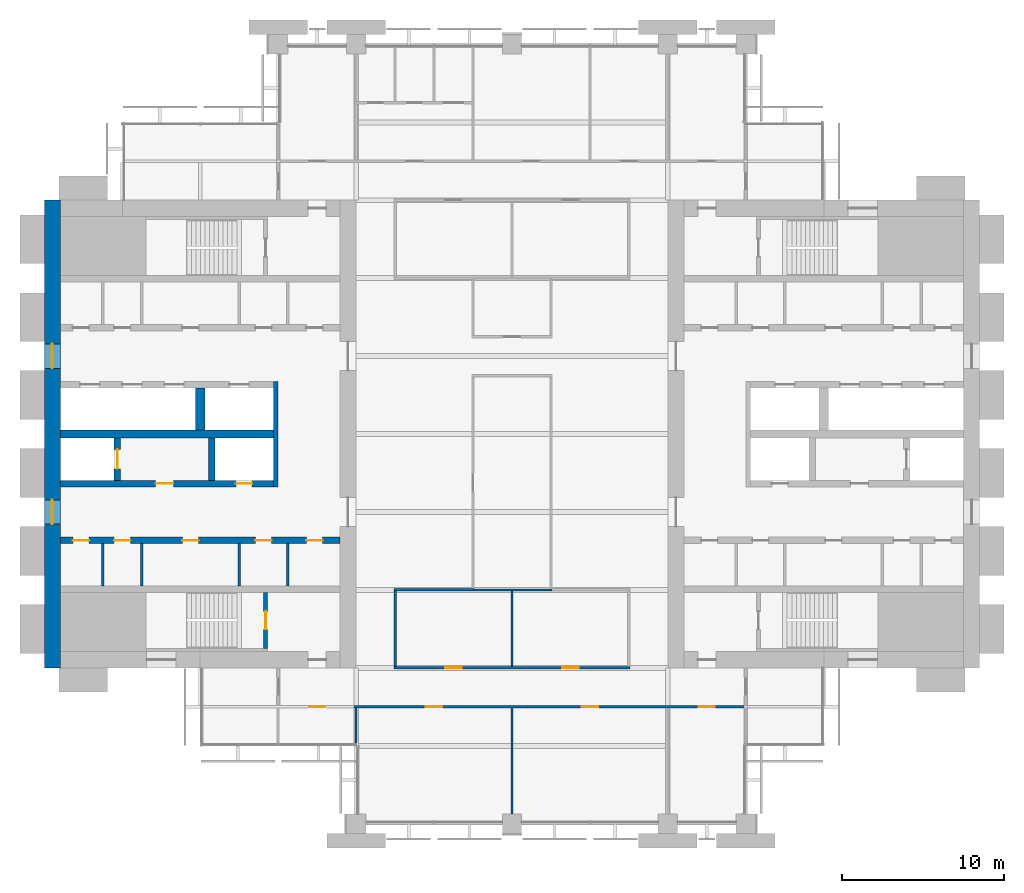
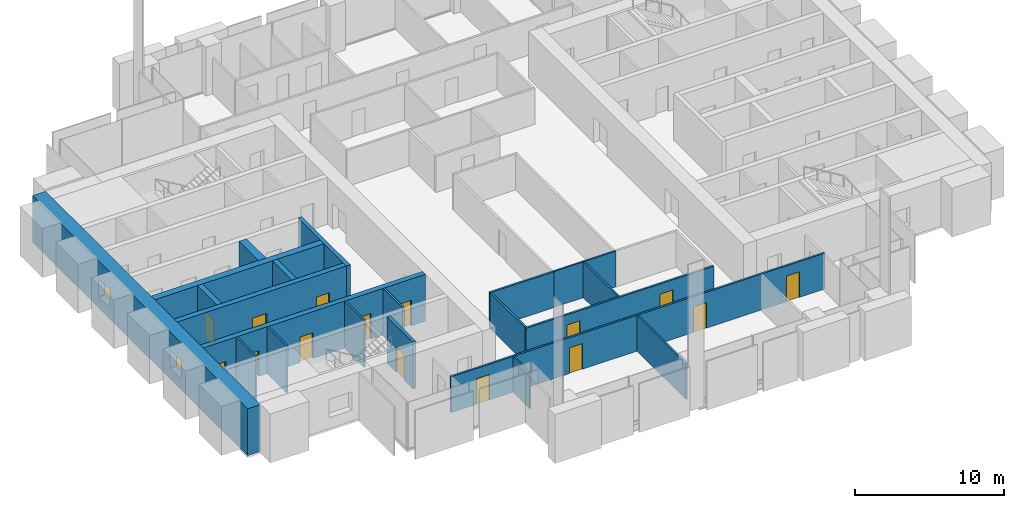
# One storey, part 9 of 14: 21 walls, 15 doors, 2 windows, 17 openings.
"""IFC4 building model written with IfcOpenShell, lengths in metres."""

from ifc_helpers import new_model, si_unit, direction, frame, frame_2d, origin, place, context, subcontext, project, spatial, rectangle, extrude, material, layer, layer_set, type_object, element, fill, save


model = new_model("IFC4")

# Units and contexts
model_context = context("Model", 3, precision=1e-05, world=origin(), true_north=direction((0.0, 1.0)))
body_context = subcontext(model_context, "Body", "Model", "MODEL_VIEW")
ifc_project = project(units=[si_unit("LENGTHUNIT", "METRE"), si_unit("AREAUNIT", "SQUARE_METRE"), si_unit("VOLUMEUNIT", "CUBIC_METRE"), si_unit("PLANEANGLEUNIT", "RADIAN"), si_unit("MASSUNIT", "GRAM", prefix="KILO")], contexts=[model_context])

# Site, building, storey
site_placement = place(None, origin())
site = spatial("IfcSite", under=ifc_project, at=site_placement, CompositionType="ELEMENT")
building_placement = place(site_placement, origin())
building = spatial("IfcBuilding", under=site, at=building_placement, Name="Baori Bourse Tower", CompositionType="ELEMENT")
storey_placement = place(building_placement, frame((0.0, 0.0, 156.10009765625)))
storey = spatial("IfcBuildingStorey", under=building, at=storey_placement, Name="L34", CompositionType="ELEMENT", Elevation=156.10009765625)

# Walls
ifc_material_1 = material(Name="Blockwork partition", Category="masonry")
ifc_layer_1 = layer(ifc_material_1, 0.14990234375)
ifc_layer_set_1 = layer_set([ifc_layer_1], Name="Core partition 150")
wall_type_1 = type_object("IfcWallType", Name="Core partition 150", PredefinedType="PARTITIONING", material=ifc_layer_set_1)
for number, where, z_axis, x_axis, name in (
    (1, (3.60009765625, 14.64990234375, 0.0), (0.0, 0.0, 1.0), (0.0, 1.0, 0.0), "Partition wall W10"),
    (2, (6.0, 14.64990234375, 0.0), (0.0, 0.0, 1.0), (0.0, 1.0, 0.0), "Partition wall W11"),
    (3, (12.0, 14.64990234375, 0.0), (0.0, 0.0, 1.0), (0.0, 1.0, 0.0), "Partition wall W12"),
    (4, (15.0, 14.64990234375, 0.0), (0.0, 0.0, 1.0), (0.0, 1.0, 0.0), "Partition wall W13"),
):
    element("IfcWall", number, at=place(storey_placement, frame(where, z_axis=z_axis, x_axis=x_axis)), inside=storey, type_object=wall_type_1, Name=name, PredefinedType="PARTITIONING", context=body_context, shape_type="SweptSolid", body=[
        extrude(rectangle(XDim=2.60009765625, YDim=0.14990234375, at=frame_2d((1.300048828125, 0.0))), origin(), (0.0, 0.0, 1.0), 3.83984375),
    ])

# Wall, openings, windows
ifc_material_2 = material(Name="Concrete f'c 60 MPa", Category="concrete")
ifc_layer_2 = layer(ifc_material_2, 1.0)
ifc_layer_set_2 = layer_set([ifc_layer_2], Name="Core wall 1000 f'c 60")
wall_type_2 = type_object("IfcWallType", Name="Core wall 1000 f'c 60", PredefinedType="SHEAR", material=ifc_layer_set_2)
wall_1_placement = place(storey_placement, frame((0.5, 9.60009765625, 0.0), z_axis=(0.0, 0.0, 1.0), x_axis=(0.0, 1.0, 0.0)))
wall_1 = element("IfcWall", 5, at=wall_1_placement, inside=storey, type_object=wall_type_2, Name="Core wall W01", PredefinedType="SHEAR", context=body_context, shape_type="SweptSolid", body=[
    extrude(rectangle(XDim=28.7998046875, YDim=1.0, at=frame_2d((14.39990234375, 0.0))), origin(), (0.0, 0.0, 1.0), 3.83984375),
])
opening_1_placement = place(wall_1_placement, frame((8.85009765625, 0.0, 0.89990234375)))
opening_1 = element("IfcOpeningElement", 6, at=opening_1_placement, cuts=wall_1, Name="Opening L34-KW101", PredefinedType="OPENING", context=body_context, shape_type="SweptSolid", body=[
    extrude(rectangle(XDim=1.5, YDim=1.5, at=frame_2d((0.75, 0.75))), frame((0.0, 0.510009765625, 0.0), z_axis=(0.0, -1.0, 0.0), x_axis=(1.0, 0.0, 0.0)), (0.0, 0.0, 1.0), 1.02001953125),
])
opening_2_placement = place(wall_1_placement, frame((18.449951171875, 0.0, 0.89990234375)))
opening_2 = element("IfcOpeningElement", 7, at=opening_2_placement, cuts=wall_1, Name="Opening L34-KW102", PredefinedType="OPENING", context=body_context, shape_type="SweptSolid", body=[
    extrude(rectangle(XDim=1.5, YDim=1.5, at=frame_2d((0.75, 0.75))), frame((0.0, 0.510009765625, 0.0), z_axis=(0.0, -1.0, 0.0), x_axis=(1.0, 0.0, 0.0)), (0.0, 0.0, 1.0), 1.02001953125),
])
ifc_material_3 = material(Name="Pale anodised aluminium", Category="aluminium")
window_type = type_object("IfcWindowType", Name="Lobby window 1500 x 1500", PartitioningType="SINGLE_PANEL", PredefinedType="WINDOW", material=ifc_material_3)
window_1_placement = place(opening_1_placement, origin())
window_1 = element("IfcWindow", 8, at=window_1_placement, inside=storey, type_object=window_type, Name="Outer wall window W L34 1", OverallHeight=1.5, OverallWidth=1.5, PartitioningType="SINGLE_PANEL", PredefinedType="WINDOW", context=body_context, shape_type="SweptSolid", body=[
    extrude(rectangle(XDim=1.5, YDim=1.5, at=frame_2d((0.75, 0.75))), frame((0.0, 0.030029296875, 0.0), z_axis=(0.0, -1.0, 0.0), x_axis=(1.0, 0.0, 0.0)), (0.0, 0.0, 1.0), 0.06005859375),
])
fill(opening_1, window_1)
window_2_placement = place(opening_2_placement, origin())
window_2 = element("IfcWindow", 9, at=window_2_placement, inside=storey, type_object=window_type, Name="Outer wall window W L34 2", OverallHeight=1.5, OverallWidth=1.5, PartitioningType="SINGLE_PANEL", PredefinedType="WINDOW", context=body_context, shape_type="SweptSolid", body=[
    extrude(rectangle(XDim=1.5, YDim=1.5, at=frame_2d((0.75, 0.75))), frame((0.0, 0.030029296875, 0.0), z_axis=(0.0, -1.0, 0.0), x_axis=(1.0, 0.0, 0.0)), (0.0, 0.0, 1.0), 0.06005859375),
])
fill(opening_2, window_2)

# Wall, openings, doors
ifc_material_4 = material(Name="Gypsum board partition")
ifc_layer_3 = layer(ifc_material_4, 0.14990234375)
ifc_layer_set_3 = layer_set([ifc_layer_3], Name="Corridor partition 150")
wall_type_3 = type_object("IfcWallType", Name="Corridor partition 150", PredefinedType="PARTITIONING", material=ifc_layer_set_3)
wall_2_placement = place(storey_placement, frame((14.324951171875, 7.199951171875, 0.0), z_axis=(0.0, 0.0, 1.0), x_axis=(1.0, 0.0, 0.0)))
wall_2 = element("IfcWall", 10, at=wall_2_placement, inside=storey, type_object=wall_type_3, Name="Partition", PredefinedType="PARTITIONING", context=body_context, shape_type="SweptSolid", body=[
    extrude(rectangle(XDim=28.949951171875, YDim=0.14990234375, at=frame_2d((14.47509765625, 0.0))), origin(), (0.0, 0.0, 1.0), 2.935546875),
])
opening_3_placement = place(wall_2_placement, frame((1.97509765625, 0.0, 0.0)))
opening_3 = element("IfcOpeningElement", 11, at=opening_3_placement, cuts=wall_2, Name="Opening L34-D01", PredefinedType="OPENING", context=body_context, shape_type="SweptSolid", body=[
    extrude(rectangle(XDim=1.0, YDim=2.10009765625, at=frame_2d((0.5, 1.050048828125))), frame((0.0, 0.0849609375, 0.0), z_axis=(0.0, -1.0, 0.0), x_axis=(1.0, 0.0, 0.0)), (0.0, 0.0, 1.0), 0.169921875),
])
opening_4_placement = place(wall_2_placement, frame((9.175048828125, 0.0, 0.0)))
opening_4 = element("IfcOpeningElement", 12, at=opening_4_placement, cuts=wall_2, Name="Opening L34-D02", PredefinedType="OPENING", context=body_context, shape_type="SweptSolid", body=[
    extrude(rectangle(XDim=1.0, YDim=2.10009765625, at=frame_2d((0.5, 1.050048828125))), frame((0.0, 0.0849609375, 0.0), z_axis=(0.0, -1.0, 0.0), x_axis=(1.0, 0.0, 0.0)), (0.0, 0.0, 1.0), 0.169921875),
])
opening_5_placement = place(wall_2_placement, frame((18.77490234375, 0.0, 0.0)))
opening_5 = element("IfcOpeningElement", 13, at=opening_5_placement, cuts=wall_2, Name="Opening L34-D03", PredefinedType="OPENING", context=body_context, shape_type="SweptSolid", body=[
    extrude(rectangle(XDim=1.0, YDim=2.10009765625, at=frame_2d((0.5, 1.050048828125))), frame((0.0, 0.0849609375, 0.0), z_axis=(0.0, -1.0, 0.0), x_axis=(1.0, 0.0, 0.0)), (0.0, 0.0, 1.0), 0.169921875),
])
opening_6_placement = place(wall_2_placement, frame((25.97509765625, 0.0, 0.0)))
opening_6 = element("IfcOpeningElement", 14, at=opening_6_placement, cuts=wall_2, Name="Opening L34-D04", PredefinedType="OPENING", context=body_context, shape_type="SweptSolid", body=[
    extrude(rectangle(XDim=1.0, YDim=2.10009765625, at=frame_2d((0.5, 1.050048828125))), frame((0.0, 0.0849609375, 0.0), z_axis=(0.0, -1.0, 0.0), x_axis=(1.0, 0.0, 0.0)), (0.0, 0.0, 1.0), 0.169921875),
])
ifc_material_5 = material(Name="Timber door leaf", Category="wood")
door_type_1 = type_object("IfcDoorType", Name="Door 1000 x 2100", OperationType="SINGLE_SWING_LEFT", PredefinedType="DOOR", material=ifc_material_5)
door_1_placement = place(opening_3_placement, origin())
door_1 = element("IfcDoor", 15, at=door_1_placement, inside=storey, type_object=door_type_1, Name="Door", OperationType="SINGLE_SWING_LEFT", OverallHeight=2.10009765625, OverallWidth=1.0, PredefinedType="DOOR", context=body_context, shape_type="SweptSolid", body=[
    extrude(rectangle(XDim=1.0, YDim=2.10009765625, at=frame_2d((0.5, 1.050048828125))), frame((0.0, 0.02490234375, 0.0), z_axis=(0.0, -1.0, 0.0), x_axis=(1.0, 0.0, 0.0)), (0.0, 0.0, 1.0), 0.050048828125),
])
fill(opening_3, door_1)
door_2_placement = place(opening_4_placement, origin())
door_2 = element("IfcDoor", 16, at=door_2_placement, inside=storey, type_object=door_type_1, Name="Door", OperationType="SINGLE_SWING_LEFT", OverallHeight=2.10009765625, OverallWidth=1.0, PredefinedType="DOOR", context=body_context, shape_type="SweptSolid", body=[
    extrude(rectangle(XDim=1.0, YDim=2.10009765625, at=frame_2d((0.5, 1.050048828125))), frame((0.0, 0.02490234375, 0.0), z_axis=(0.0, -1.0, 0.0), x_axis=(1.0, 0.0, 0.0)), (0.0, 0.0, 1.0), 0.050048828125),
])
fill(opening_4, door_2)
door_3_placement = place(opening_5_placement, origin())
door_3 = element("IfcDoor", 17, at=door_3_placement, inside=storey, type_object=door_type_1, Name="Door", OperationType="SINGLE_SWING_RIGHT", OverallHeight=2.10009765625, OverallWidth=1.0, PredefinedType="DOOR", context=body_context, shape_type="SweptSolid", body=[
    extrude(rectangle(XDim=1.0, YDim=2.10009765625, at=frame_2d((0.5, 1.050048828125))), frame((0.0, 0.02490234375, 0.0), z_axis=(0.0, -1.0, 0.0), x_axis=(1.0, 0.0, 0.0)), (0.0, 0.0, 1.0), 0.050048828125),
])
fill(opening_5, door_3)
door_4_placement = place(opening_6_placement, origin())
door_4 = element("IfcDoor", 18, at=door_4_placement, inside=storey, type_object=door_type_1, Name="Door", OperationType="SINGLE_SWING_RIGHT", OverallHeight=2.10009765625, OverallWidth=1.0, PredefinedType="DOOR", context=body_context, shape_type="SweptSolid", body=[
    extrude(rectangle(XDim=1.0, YDim=2.10009765625, at=frame_2d((0.5, 1.050048828125))), frame((0.0, 0.02490234375, 0.0), z_axis=(0.0, -1.0, 0.0), x_axis=(1.0, 0.0, 0.0)), (0.0, 0.0, 1.0), 0.050048828125),
])
fill(opening_6, door_4)

wall_3_placement = place(storey_placement, frame((21.52490234375, 9.60009765625, 0.0), z_axis=(0.0, 0.0, 1.0), x_axis=(1.0, 0.0, 0.0)))
wall_3 = element("IfcWall", 19, at=wall_3_placement, inside=storey, type_object=wall_type_3, Name="Partition", PredefinedType="PARTITIONING", context=body_context, shape_type="SweptSolid", body=[
    extrude(rectangle(XDim=14.550048828125, YDim=0.14990234375, at=frame_2d((7.27490234375, 0.0))), origin(), (0.0, 0.0, 1.0), 2.935546875),
])
opening_7_placement = place(wall_3_placement, frame((3.175048828125, 0.0, 0.0)))
opening_7 = element("IfcOpeningElement", 20, at=opening_7_placement, cuts=wall_3, Name="Opening L34-D05", PredefinedType="OPENING", context=body_context, shape_type="SweptSolid", body=[
    extrude(rectangle(XDim=1.0, YDim=2.10009765625, at=frame_2d((0.5, 1.050048828125))), frame((0.0, 0.0849609375, 0.0), z_axis=(0.0, -1.0, 0.0), x_axis=(1.0, 0.0, 0.0)), (0.0, 0.0, 1.0), 0.169921875),
])
opening_8_placement = place(wall_3_placement, frame((10.375, 0.0, 0.0)))
opening_8 = element("IfcOpeningElement", 21, at=opening_8_placement, cuts=wall_3, Name="Opening L34-D06", PredefinedType="OPENING", context=body_context, shape_type="SweptSolid", body=[
    extrude(rectangle(XDim=1.0, YDim=2.10009765625, at=frame_2d((0.5, 1.050048828125))), frame((0.0, 0.0849609375, 0.0), z_axis=(0.0, -1.0, 0.0), x_axis=(1.0, 0.0, 0.0)), (0.0, 0.0, 1.0), 0.169921875),
])
door_5_placement = place(opening_7_placement, origin())
door_5 = element("IfcDoor", 22, at=door_5_placement, inside=storey, type_object=door_type_1, Name="Door", OperationType="SINGLE_SWING_RIGHT", OverallHeight=2.10009765625, OverallWidth=1.0, PredefinedType="DOOR", context=body_context, shape_type="SweptSolid", body=[
    extrude(rectangle(XDim=1.0, YDim=2.10009765625, at=frame_2d((0.5, 1.050048828125))), frame((0.0, 0.02490234375, 0.0), z_axis=(0.0, -1.0, 0.0), x_axis=(1.0, 0.0, 0.0)), (0.0, 0.0, 1.0), 0.050048828125),
])
fill(opening_7, door_5)
door_6_placement = place(opening_8_placement, origin())
door_6 = element("IfcDoor", 23, at=door_6_placement, inside=storey, type_object=door_type_1, Name="Door", OperationType="SINGLE_SWING_LEFT", OverallHeight=2.10009765625, OverallWidth=1.0, PredefinedType="DOOR", context=body_context, shape_type="SweptSolid", body=[
    extrude(rectangle(XDim=1.0, YDim=2.10009765625, at=frame_2d((0.5, 1.050048828125))), frame((0.0, 0.02490234375, 0.0), z_axis=(0.0, -1.0, 0.0), x_axis=(1.0, 0.0, 0.0)), (0.0, 0.0, 1.0), 0.050048828125),
])
fill(opening_8, door_6)

# Walls
wall_4_placement = place(storey_placement, frame((21.52490234375, 14.39990234375, 0.0), z_axis=(0.0, 0.0, 1.0), x_axis=(1.0, 0.0, 0.0)))
element("IfcWall", 24, at=wall_4_placement, inside=storey, type_object=wall_type_3, Name="Partition", PredefinedType="PARTITIONING", context=body_context, shape_type="SweptSolid", body=[
    extrude(rectangle(XDim=4.9501953125, YDim=0.14990234375, at=frame_2d((2.47509765625, 0.0))), origin(), (0.0, 0.0, 1.0), 2.935546875),
])
wall_5_placement = place(storey_placement, frame((21.60009765625, 9.675048828125, 0.0), z_axis=(0.0, 0.0, 1.0), x_axis=(0.0, 1.0, 0.0)))
element("IfcWall", 25, at=wall_5_placement, inside=storey, type_object=wall_type_3, Name="Partition", PredefinedType="PARTITIONING", context=body_context, shape_type="SweptSolid", body=[
    extrude(rectangle(XDim=4.64990234375, YDim=0.14990234375, at=frame_2d((2.324951171875, 0.0))), origin(), (0.0, 0.0, 1.0), 2.935546875),
])
ifc_material_6 = material(Name="Gypsum board partition")
ifc_layer_4 = layer(ifc_material_6, 0.125)
ifc_layer_set_4 = layer_set([ifc_layer_4], Name="Partition 125")
wall_type_4 = type_object("IfcWallType", Name="Partition 125", PredefinedType="PARTITIONING", material=ifc_layer_set_4)
wall_6_placement = place(storey_placement, frame((26.47509765625, 14.39990234375, 0.0), z_axis=(0.0, 0.0, 1.0), x_axis=(1.0, 0.0, 0.0)))
element("IfcWall", 26, at=wall_6_placement, inside=storey, type_object=wall_type_4, Name="Partition", PredefinedType="PARTITIONING", context=body_context, shape_type="SweptSolid", body=[
    extrude(rectangle(XDim=4.7998046875, YDim=0.125, at=frame_2d((2.39990234375, 0.0))), origin(), (0.0, 0.0, 1.0), 2.935546875),
])
wall_7_placement = place(storey_placement, frame((19.199951171875, 4.89990234375, 0.0), z_axis=(0.0, 0.0, 1.0), x_axis=(0.0, 1.0, 0.0)))
element("IfcWall", 27, at=wall_7_placement, inside=storey, type_object=wall_type_4, Name="Partition", PredefinedType="PARTITIONING", context=body_context, shape_type="SweptSolid", body=[
    extrude(rectangle(XDim=2.22509765625, YDim=0.125, at=frame_2d((1.112548828125, 0.0))), origin(), (0.0, 0.0, 1.0), 2.935546875),
])
wall_8_placement = place(storey_placement, frame((28.800048828125, 0.60009765625, 0.0), z_axis=(0.0, 0.0, 1.0), x_axis=(0.0, 1.0, 0.0)))
element("IfcWall", 28, at=wall_8_placement, inside=storey, type_object=wall_type_4, Name="Partition", PredefinedType="PARTITIONING", context=body_context, shape_type="SweptSolid", body=[
    extrude(rectangle(XDim=6.52490234375, YDim=0.125, at=frame_2d((3.262451171875, 0.0))), origin(), (0.0, 0.0, 1.0), 2.935546875),
])
wall_9_placement = place(storey_placement, frame((28.800048828125, 9.675048828125, 0.0), z_axis=(0.0, 0.0, 1.0), x_axis=(0.0, 1.0, 0.0)))
element("IfcWall", 29, at=wall_9_placement, inside=storey, type_object=wall_type_4, Name="Partition", PredefinedType="PARTITIONING", context=body_context, shape_type="SweptSolid", body=[
    extrude(rectangle(XDim=4.662353515625, YDim=0.125, at=frame_2d((2.3310546875, 0.0))), origin(), (0.0, 0.0, 1.0), 2.935546875),
])

# Wall, opening, door
ifc_material_7 = material(Name="Concrete f'c 60 MPa", Category="concrete")
ifc_layer_5 = layer(ifc_material_7, 0.25)
ifc_layer_set_5 = layer_set([ifc_layer_5], Name="Shaft wall 250 f'c 60")
wall_type_5 = type_object("IfcWallType", Name="Shaft wall 250 f'c 60", PredefinedType="SHEAR", material=ifc_layer_set_5)
wall_10_placement = place(storey_placement, frame((13.625, 10.800048828125, 0.0), z_axis=(0.0, 0.0, 1.0), x_axis=(0.0, 1.0, 0.0)))
wall_10 = element("IfcWall", 30, at=wall_10_placement, inside=storey, type_object=wall_type_5, Name="Core wall W08", PredefinedType="SHEAR", context=body_context, shape_type="SweptSolid", body=[
    extrude(rectangle(XDim=3.449951171875, YDim=0.25, at=frame_2d((1.72509765625, 0.0))), origin(), (0.0, 0.0, 1.0), 3.83984375),
])
opening_9_placement = place(wall_10_placement, frame((1.175048828125, 0.0, 0.0)))
opening_9 = element("IfcOpeningElement", 31, at=opening_9_placement, cuts=wall_10, Name="Opening L34-D101", PredefinedType="OPENING", context=body_context, shape_type="SweptSolid", body=[
    extrude(rectangle(XDim=1.10009765625, YDim=2.10009765625, at=frame_2d((0.550048828125, 1.050048828125))), frame((0.0, 0.135009765625, 0.0), z_axis=(0.0, -1.0, 0.0), x_axis=(1.0, 0.0, 0.0)), (0.0, 0.0, 1.0), 0.27001953125),
])
ifc_material_8 = material(Name="Painted steel door", Category="steel")
door_type_2 = type_object("IfcDoorType", Name="Stair door 1100", OperationType="SINGLE_SWING_LEFT", PredefinedType="DOOR", material=ifc_material_8)
door_7_placement = place(opening_9_placement, origin())
door_7 = element("IfcDoor", 32, at=door_7_placement, inside=storey, type_object=door_type_2, Name="Stair door A W L34", OperationType="SINGLE_SWING_LEFT", OverallHeight=2.10009765625, OverallWidth=1.10009765625, PredefinedType="DOOR", context=body_context, shape_type="SweptSolid", body=[
    extrude(rectangle(XDim=1.10009765625, YDim=2.10009765625, at=frame_2d((0.550048828125, 1.050048828125))), frame((0.0, 0.02490234375, 0.0), z_axis=(0.0, -1.0, 0.0), x_axis=(1.0, 0.0, 0.0)), (0.0, 0.0, 1.0), 0.050048828125),
])
fill(opening_9, door_7)

# Wall
ifc_material_9 = material(Name="Concrete f'c 60 MPa", Category="concrete")
ifc_layer_6 = layer(ifc_material_9, 0.300048828125)
ifc_layer_set_6 = layer_set([ifc_layer_6], Name="Shaft wall 300 f'c 60")
wall_type_6 = type_object("IfcWallType", Name="Shaft wall 300 f'c 60", PredefinedType="SHEAR", material=ifc_layer_set_6)
wall_11_placement = place(storey_placement, frame((14.25, 20.75, 0.0), z_axis=(0.0, 0.0, 1.0), x_axis=(0.0, 1.0, 0.0)))
element("IfcWall", 33, at=wall_11_placement, inside=storey, type_object=wall_type_6, Name="Core wall W16", PredefinedType="SHEAR", context=body_context, shape_type="SweptSolid", body=[
    extrude(rectangle(XDim=6.5, YDim=0.300048828125, at=frame_2d((3.25, 0.0))), origin(), (0.0, 0.0, 1.0), 3.83984375),
])

# Wall, openings, doors
ifc_material_10 = material(Name="Concrete f'c 60 MPa", Category="concrete")
ifc_layer_7 = layer(ifc_material_10, 0.39990234375)
ifc_layer_set_7 = layer_set([ifc_layer_7], Name="Shaft wall 400 f'c 60")
wall_type_7 = type_object("IfcWallType", Name="Shaft wall 400 f'c 60", PredefinedType="SHEAR", material=ifc_layer_set_7)
wall_12_placement = place(storey_placement, frame((1.0, 17.449951171875, 0.0), z_axis=(0.0, 0.0, 1.0), x_axis=(1.0, 0.0, 0.0)))
wall_12 = element("IfcWall", 34, at=wall_12_placement, inside=storey, type_object=wall_type_7, Name="Core wall W14", PredefinedType="SHEAR", context=body_context, shape_type="SweptSolid", body=[
    extrude(rectangle(XDim=17.199951171875, YDim=0.39990234375, at=frame_2d((8.60009765625, 0.0))), origin(), (0.0, 0.0, 1.0), 3.83984375),
])
opening_10_placement = place(wall_12_placement, frame((0.762451171875, 0.0, 0.0)))
opening_10 = element("IfcOpeningElement", 35, at=opening_10_placement, cuts=wall_12, Name="Opening L34-D114", PredefinedType="OPENING", context=body_context, shape_type="SweptSolid", body=[
    extrude(rectangle(XDim=1.0, YDim=2.10009765625, at=frame_2d((0.5, 1.050048828125))), frame((0.0, 0.2099609375, 0.0), z_axis=(0.0, -1.0, 0.0), x_axis=(1.0, 0.0, 0.0)), (0.0, 0.0, 1.0), 0.419921875),
])
opening_11_placement = place(wall_12_placement, frame((3.300048828125, 0.0, 0.0)))
opening_11 = element("IfcOpeningElement", 36, at=opening_11_placement, cuts=wall_12, Name="Opening L34-D115", PredefinedType="OPENING", context=body_context, shape_type="SweptSolid", body=[
    extrude(rectangle(XDim=1.0, YDim=2.10009765625, at=frame_2d((0.5, 1.050048828125))), frame((0.0, 0.2099609375, 0.0), z_axis=(0.0, -1.0, 0.0), x_axis=(1.0, 0.0, 0.0)), (0.0, 0.0, 1.0), 0.419921875),
])
opening_12_placement = place(wall_12_placement, frame((7.5, 0.0, 0.0)))
opening_12 = element("IfcOpeningElement", 37, at=opening_12_placement, cuts=wall_12, Name="Opening L34-D116", PredefinedType="OPENING", context=body_context, shape_type="SweptSolid", body=[
    extrude(rectangle(XDim=1.0, YDim=2.10009765625, at=frame_2d((0.5, 1.050048828125))), frame((0.0, 0.2099609375, 0.0), z_axis=(0.0, -1.0, 0.0), x_axis=(1.0, 0.0, 0.0)), (0.0, 0.0, 1.0), 0.419921875),
])
opening_13_placement = place(wall_12_placement, frame((12.0, 0.0, 0.0)))
opening_13 = element("IfcOpeningElement", 38, at=opening_13_placement, cuts=wall_12, Name="Opening L34-D117", PredefinedType="OPENING", context=body_context, shape_type="SweptSolid", body=[
    extrude(rectangle(XDim=1.0, YDim=2.10009765625, at=frame_2d((0.5, 1.050048828125))), frame((0.0, 0.2099609375, 0.0), z_axis=(0.0, -1.0, 0.0), x_axis=(1.0, 0.0, 0.0)), (0.0, 0.0, 1.0), 0.419921875),
])
opening_14_placement = place(wall_12_placement, frame((15.137451171875, 0.0, 0.0)))
opening_14 = element("IfcOpeningElement", 39, at=opening_14_placement, cuts=wall_12, Name="Opening L34-D118", PredefinedType="OPENING", context=body_context, shape_type="SweptSolid", body=[
    extrude(rectangle(XDim=1.0, YDim=2.10009765625, at=frame_2d((0.5, 1.050048828125))), frame((0.0, 0.2099609375, 0.0), z_axis=(0.0, -1.0, 0.0), x_axis=(1.0, 0.0, 0.0)), (0.0, 0.0, 1.0), 0.419921875),
])
ifc_material_11 = material(Name="Painted steel door", Category="steel")
door_type_3 = type_object("IfcDoorType", Name="Core door 1000", OperationType="SINGLE_SWING_LEFT", PredefinedType="DOOR", material=ifc_material_11)
door_8_placement = place(opening_10_placement, origin())
door_8 = element("IfcDoor", 40, at=door_8_placement, inside=storey, type_object=door_type_3, Name="Store Room door W L34", OperationType="SINGLE_SWING_LEFT", OverallHeight=2.10009765625, OverallWidth=1.0, PredefinedType="DOOR", context=body_context, shape_type="SweptSolid", body=[
    extrude(rectangle(XDim=1.0, YDim=2.10009765625, at=frame_2d((0.5, 1.050048828125))), frame((0.0, 0.02490234375, 0.0), z_axis=(0.0, -1.0, 0.0), x_axis=(1.0, 0.0, 0.0)), (0.0, 0.0, 1.0), 0.050048828125),
])
fill(opening_10, door_8)
door_9_placement = place(opening_11_placement, origin())
door_9 = element("IfcDoor", 41, at=door_9_placement, inside=storey, type_object=door_type_3, Name="Pantry door W L34", OperationType="SINGLE_SWING_LEFT", OverallHeight=2.10009765625, OverallWidth=1.0, PredefinedType="DOOR", context=body_context, shape_type="SweptSolid", body=[
    extrude(rectangle(XDim=1.0, YDim=2.10009765625, at=frame_2d((0.5, 1.050048828125))), frame((0.0, 0.02490234375, 0.0), z_axis=(0.0, -1.0, 0.0), x_axis=(1.0, 0.0, 0.0)), (0.0, 0.0, 1.0), 0.050048828125),
])
fill(opening_11, door_9)
door_10_placement = place(opening_12_placement, origin())
door_10 = element("IfcDoor", 42, at=door_10_placement, inside=storey, type_object=door_type_3, Name="Men'S Wc door W L34", OperationType="SINGLE_SWING_LEFT", OverallHeight=2.10009765625, OverallWidth=1.0, PredefinedType="DOOR", context=body_context, shape_type="SweptSolid", body=[
    extrude(rectangle(XDim=1.0, YDim=2.10009765625, at=frame_2d((0.5, 1.050048828125))), frame((0.0, 0.02490234375, 0.0), z_axis=(0.0, -1.0, 0.0), x_axis=(1.0, 0.0, 0.0)), (0.0, 0.0, 1.0), 0.050048828125),
])
fill(opening_12, door_10)
door_11_placement = place(opening_13_placement, origin())
door_11 = element("IfcDoor", 43, at=door_11_placement, inside=storey, type_object=door_type_3, Name="Women'S Wc door W L34", OperationType="SINGLE_SWING_LEFT", OverallHeight=2.10009765625, OverallWidth=1.0, PredefinedType="DOOR", context=body_context, shape_type="SweptSolid", body=[
    extrude(rectangle(XDim=1.0, YDim=2.10009765625, at=frame_2d((0.5, 1.050048828125))), frame((0.0, 0.02490234375, 0.0), z_axis=(0.0, -1.0, 0.0), x_axis=(1.0, 0.0, 0.0)), (0.0, 0.0, 1.0), 0.050048828125),
])
fill(opening_13, door_11)
door_12_placement = place(opening_14_placement, origin())
door_12 = element("IfcDoor", 44, at=door_12_placement, inside=storey, type_object=door_type_3, Name="Accessible Wc door W L34", OperationType="SINGLE_SWING_LEFT", OverallHeight=2.10009765625, OverallWidth=1.0, PredefinedType="DOOR", context=body_context, shape_type="SweptSolid", body=[
    extrude(rectangle(XDim=1.0, YDim=2.10009765625, at=frame_2d((0.5, 1.050048828125))), frame((0.0, 0.02490234375, 0.0), z_axis=(0.0, -1.0, 0.0), x_axis=(1.0, 0.0, 0.0)), (0.0, 0.0, 1.0), 0.050048828125),
])
fill(opening_14, door_12)

wall_13_placement = place(storey_placement, frame((1.0, 20.949951171875, 0.0), z_axis=(0.0, 0.0, 1.0), x_axis=(1.0, 0.0, 0.0)))
wall_13 = element("IfcWall", 45, at=wall_13_placement, inside=storey, type_object=wall_type_7, Name="Core wall W15", PredefinedType="SHEAR", context=body_context, shape_type="SweptSolid", body=[
    extrude(rectangle(XDim=13.10009765625, YDim=0.39990234375, at=frame_2d((6.550048828125, 0.0))), origin(), (0.0, 0.0, 1.0), 3.83984375),
])
opening_15_placement = place(wall_13_placement, frame((5.85009765625, 0.0, 0.0)))
opening_15 = element("IfcOpeningElement", 46, at=opening_15_placement, cuts=wall_13, Name="Opening L34-D105", PredefinedType="OPENING", context=body_context, shape_type="SweptSolid", body=[
    extrude(rectangle(XDim=1.10009765625, YDim=2.10009765625, at=frame_2d((0.550048828125, 1.050048828125))), frame((0.0, 0.2099609375, 0.0), z_axis=(0.0, -1.0, 0.0), x_axis=(1.0, 0.0, 0.0)), (0.0, 0.0, 1.0), 0.419921875),
])
opening_16_placement = place(wall_13_placement, frame((10.800048828125, 0.0, 0.0)))
opening_16 = element("IfcOpeningElement", 47, at=opening_16_placement, cuts=wall_13, Name="Opening L34-D106", PredefinedType="OPENING", context=body_context, shape_type="SweptSolid", body=[
    extrude(rectangle(XDim=1.0, YDim=2.10009765625, at=frame_2d((0.5, 1.050048828125))), frame((0.0, 0.2099609375, 0.0), z_axis=(0.0, -1.0, 0.0), x_axis=(1.0, 0.0, 0.0)), (0.0, 0.0, 1.0), 0.419921875),
])
ifc_material_12 = material(Name="Painted steel door", Category="steel")
door_type_4 = type_object("IfcDoorType", Name="Lobby door 1100", OperationType="SINGLE_SWING_LEFT", PredefinedType="DOOR", material=ifc_material_12)
door_13_placement = place(opening_15_placement, origin())
door_13 = element("IfcDoor", 48, at=door_13_placement, inside=storey, type_object=door_type_4, Name="Firefighting lobby door W L34", OperationType="SINGLE_SWING_LEFT", OverallHeight=2.10009765625, OverallWidth=1.10009765625, PredefinedType="DOOR", context=body_context, shape_type="SweptSolid", body=[
    extrude(rectangle(XDim=1.10009765625, YDim=2.10009765625, at=frame_2d((0.550048828125, 1.050048828125))), frame((0.0, 0.02490234375, 0.0), z_axis=(0.0, -1.0, 0.0), x_axis=(1.0, 0.0, 0.0)), (0.0, 0.0, 1.0), 0.050048828125),
])
fill(opening_15, door_13)
ifc_material_13 = material(Name="Painted steel door", Category="steel")
door_type_5 = type_object("IfcDoorType", Name="Shaft door 1000", OperationType="SINGLE_SWING_LEFT", PredefinedType="DOOR", material=ifc_material_13)
door_14_placement = place(opening_16_placement, origin())
door_14 = element("IfcDoor", 49, at=door_14_placement, inside=storey, type_object=door_type_5, Name="Riser room door W L34", OperationType="SINGLE_SWING_LEFT", OverallHeight=2.10009765625, OverallWidth=1.0, PredefinedType="DOOR", context=body_context, shape_type="SweptSolid", body=[
    extrude(rectangle(XDim=1.0, YDim=2.10009765625, at=frame_2d((0.5, 1.050048828125))), frame((0.0, 0.02490234375, 0.0), z_axis=(0.0, -1.0, 0.0), x_axis=(1.0, 0.0, 0.0)), (0.0, 0.0, 1.0), 0.050048828125),
])
fill(opening_16, door_14)

# Wall, opening, door
wall_14_placement = place(storey_placement, frame((4.5, 21.14990234375, 0.0), z_axis=(0.0, 0.0, 1.0), x_axis=(0.0, 1.0, 0.0)))
wall_14 = element("IfcWall", 50, at=wall_14_placement, inside=storey, type_object=wall_type_7, Name="Core wall W17", PredefinedType="SHEAR", context=body_context, shape_type="SweptSolid", body=[
    extrude(rectangle(XDim=2.60009765625, YDim=0.39990234375, at=frame_2d((1.300048828125, 0.0))), origin(), (0.0, 0.0, 1.0), 3.83984375),
])
opening_17_placement = place(wall_14_placement, frame((0.699951171875, 0.0, 0.0)))
opening_17 = element("IfcOpeningElement", 51, at=opening_17_placement, cuts=wall_14, Name="Opening L34-D123", PredefinedType="OPENING", context=body_context, shape_type="SweptSolid", body=[
    extrude(rectangle(XDim=1.199951171875, YDim=2.10009765625, at=frame_2d((0.60009765625, 1.050048828125))), frame((0.0, 0.2099609375, 0.0), z_axis=(0.0, -1.0, 0.0), x_axis=(1.0, 0.0, 0.0)), (0.0, 0.0, 1.0), 0.419921875),
])
ifc_material_14 = material(Name="Stainless steel door", Category="steel")
door_type_6 = type_object("IfcDoorType", Name="Lift landing door", OperationType="DOUBLE_DOOR_SLIDING", PredefinedType="DOOR", material=ifc_material_14)
door_15_placement = place(opening_17_placement, origin())
door_15 = element("IfcDoor", 52, at=door_15_placement, inside=storey, type_object=door_type_6, Name="Lift landing door FF1 W L34", OperationType="DOUBLE_DOOR_SLIDING", OverallHeight=2.10009765625, OverallWidth=1.199951171875, PredefinedType="DOOR", context=body_context, shape_type="SweptSolid", body=[
    extrude(rectangle(XDim=1.199951171875, YDim=2.10009765625, at=frame_2d((0.60009765625, 1.050048828125))), frame((0.0, 0.02490234375, 0.0), z_axis=(0.0, -1.0, 0.0), x_axis=(1.0, 0.0, 0.0)), (0.0, 0.0, 1.0), 0.050048828125),
])
fill(opening_17, door_15)

# Walls
wall_15_placement = place(storey_placement, frame((10.300048828125, 21.14990234375, 0.0), z_axis=(0.0, 0.0, 1.0), x_axis=(0.0, 1.0, 0.0)))
element("IfcWall", 53, at=wall_15_placement, inside=storey, type_object=wall_type_7, Name="Core wall W18", PredefinedType="SHEAR", context=body_context, shape_type="SweptSolid", body=[
    extrude(rectangle(XDim=2.60009765625, YDim=0.39990234375, at=frame_2d((1.300048828125, 0.0))), origin(), (0.0, 0.0, 1.0), 3.83984375),
])
ifc_material_15 = material(Name="Concrete f'c 60 MPa", Category="concrete")
ifc_layer_8 = layer(ifc_material_15, 0.5)
ifc_layer_set_8 = layer_set([ifc_layer_8], Name="Shaft wall 500 f'c 60")
wall_type_8 = type_object("IfcWallType", Name="Shaft wall 500 f'c 60", PredefinedType="SHEAR", material=ifc_layer_set_8)
wall_16_placement = place(storey_placement, frame((1.0, 24.0, 0.0), z_axis=(0.0, 0.0, 1.0), x_axis=(1.0, 0.0, 0.0)))
element("IfcWall", 54, at=wall_16_placement, inside=storey, type_object=wall_type_8, Name="Core wall W19", PredefinedType="SHEAR", context=body_context, shape_type="SweptSolid", body=[
    extrude(rectangle(XDim=13.10009765625, YDim=0.5, at=frame_2d((6.550048828125, 0.0))), origin(), (0.0, 0.0, 1.0), 3.83984375),
])
ifc_material_16 = material(Name="Concrete f'c 60 MPa", Category="concrete")
ifc_layer_9 = layer(ifc_material_16, 0.60009765625)
ifc_layer_set_9 = layer_set([ifc_layer_9], Name="Shaft wall 600 f'c 60")
wall_type_9 = type_object("IfcWallType", Name="Shaft wall 600 f'c 60", PredefinedType="SHEAR", material=ifc_layer_set_9)
wall_17_placement = place(storey_placement, frame((9.60009765625, 24.25, 0.0), z_axis=(0.0, 0.0, 1.0), x_axis=(0.0, 1.0, 0.0)))
element("IfcWall", 55, at=wall_17_placement, inside=storey, type_object=wall_type_9, Name="Core wall W20", PredefinedType="SHEAR", context=body_context, shape_type="SweptSolid", body=[
    extrude(rectangle(XDim=2.60009765625, YDim=0.60009765625, at=frame_2d((1.300048828125, 0.0))), origin(), (0.0, 0.0, 1.0), 3.83984375),
])

save(model, "model.ifc")
